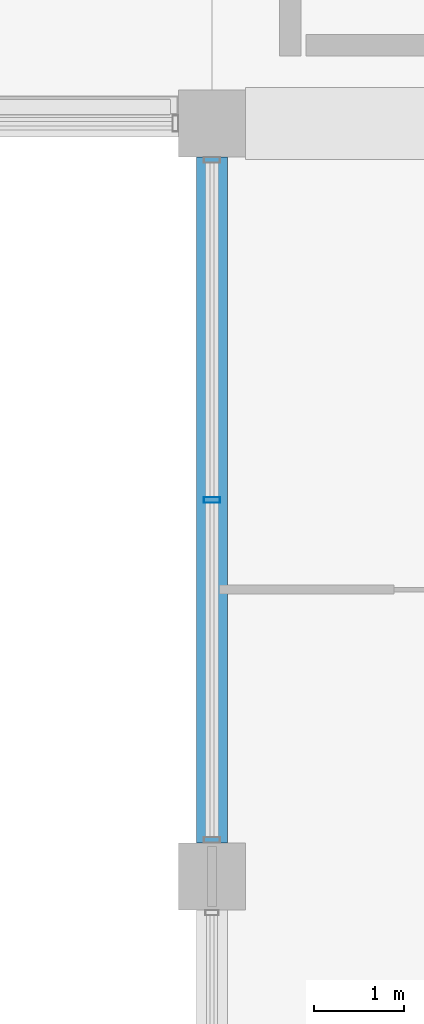
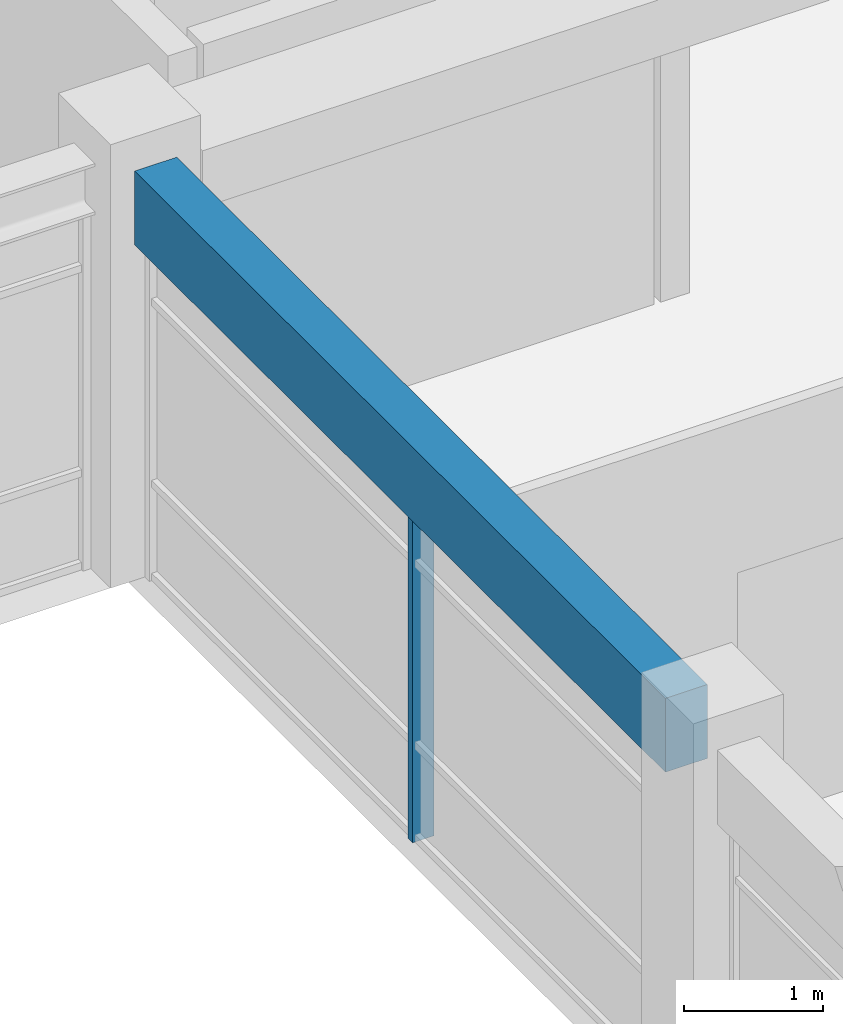
# One storey, part 34 of 72: 1 beam, 1 member, 1 element without a shape of its own.
"""IFC4 building model written with IfcOpenShell, lengths in metres."""

from ifc_helpers import new_model, si_unit, direction, frame, origin, origin_2d, place, context, subcontext, project, spatial, rectangle, hollow_rectangle, extrude, material, material_profile, profile_set, type_object, element, aggregate, save


model = new_model("IFC4")

# Units and contexts
model_context = context("Model", 3, precision=1e-05, world=origin(), true_north=direction((0.0, 1.0)))
body_context = subcontext(model_context, "Body", "Model", "MODEL_VIEW")
ifc_project = project(units=[si_unit("LENGTHUNIT", "METRE"), si_unit("AREAUNIT", "SQUARE_METRE"), si_unit("VOLUMEUNIT", "CUBIC_METRE"), si_unit("PLANEANGLEUNIT", "RADIAN"), si_unit("MASSUNIT", "GRAM", prefix="KILO"), si_unit("THERMODYNAMICTEMPERATUREUNIT", "KELVIN"), si_unit("POWERUNIT", "WATT")], contexts=[model_context])

# Site, building, storey
site_placement = place(None, origin())
site = spatial("IfcSite", under=ifc_project, at=site_placement, CompositionType="ELEMENT")
building_placement = place(site_placement, origin())
building = spatial("IfcBuilding", under=site, at=building_placement, Name="Srebrne Nadtorze General Hospital", CompositionType="ELEMENT")
storey_placement = place(building_placement, frame((0.0, 0.0, 22.199951171875)))
storey = spatial("IfcBuildingStorey", under=building, at=storey_placement, Name="L05", CompositionType="ELEMENT", Elevation=22.199951171875)

# Curtain wall, member
ifc_material_1 = material(Name="Anodised Aluminium", Category="aluminium")
curtain_wall_type = type_object("IfcCurtainWallType", Name="Unitised curtain wall 7650x2950", PredefinedType="NOTDEFINED", material=ifc_material_1)
curtain_wall_placement = place(storey_placement, origin())
curtain_wall = element("IfcCurtainWall", 1, at=curtain_wall_placement, inside=storey, type_object=curtain_wall_type, Name="Curtain wall CW-133", PredefinedType="NOTDEFINED")
ifc_material_2 = material(Name="Anodised Aluminium", Category="aluminium")
ifc_material_profile_1 = material_profile(ifc_material_2, hollow_rectangle(XDim=0.06494140625, YDim=0.179931640625, WallThickness=0.00390625, at=origin_2d()), Name="AL-MUL-65x180")
ifc_profile_set_1 = profile_set([ifc_material_profile_1], Name="Anodised Aluminium")
member_type = type_object("IfcMemberType", Name="Curtain mullion 65x180", PredefinedType="MULLION", material=ifc_profile_set_1)
member_placement = place(storey_placement, frame((101.39990234375, 46.199951171875, 0.0), z_axis=(0.0, 0.0, 1.0), x_axis=(0.0, 1.0, 0.0)))
member = element("IfcMember", 2, at=member_placement, type_object=member_type, Name="CW-133 mullion 2", PredefinedType="MULLION", context=body_context, shape_type="SweptSolid", body=[
    extrude(hollow_rectangle(XDim=0.06494140625, YDim=0.179931640625, WallThickness=0.00390625, at=origin_2d()), origin(), (0.0, 0.0, 1.0), 2.949951171875),
])
aggregate(curtain_wall, [member])

# Beam
ifc_material_3 = material(Name="Concrete C35/45", Category="concrete")
ifc_material_profile_2 = material_profile(ifc_material_3, rectangle(XDim=0.35009765625, YDim=0.64990234375, at=origin_2d()), Name="RC-BM-350x650")
ifc_profile_set_2 = profile_set([ifc_material_profile_2], Name="Concrete C35/45")
beam_type = type_object("IfcBeamType", Name="Edge beam RC 350x650", PredefinedType="BEAM", material=ifc_profile_set_2)
beam_placement = place(storey_placement, frame((101.39990234375, 42.375, 3.275146484375), z_axis=(0.0, 1.0, 0.0), x_axis=(-1.0, 0.0, 0.0)))
element("IfcBeam", 3, at=beam_placement, inside=storey, type_object=beam_type, Name="Beam BM-L05-Y-1098", PredefinedType="BEAM", context=body_context, shape_type="SweptSolid", body=[
    extrude(rectangle(XDim=0.35009765625, YDim=0.64990234375, at=origin_2d()), origin(), (0.0, 0.0, 1.0), 7.64990234375),
])

save(model, "model.ifc")
